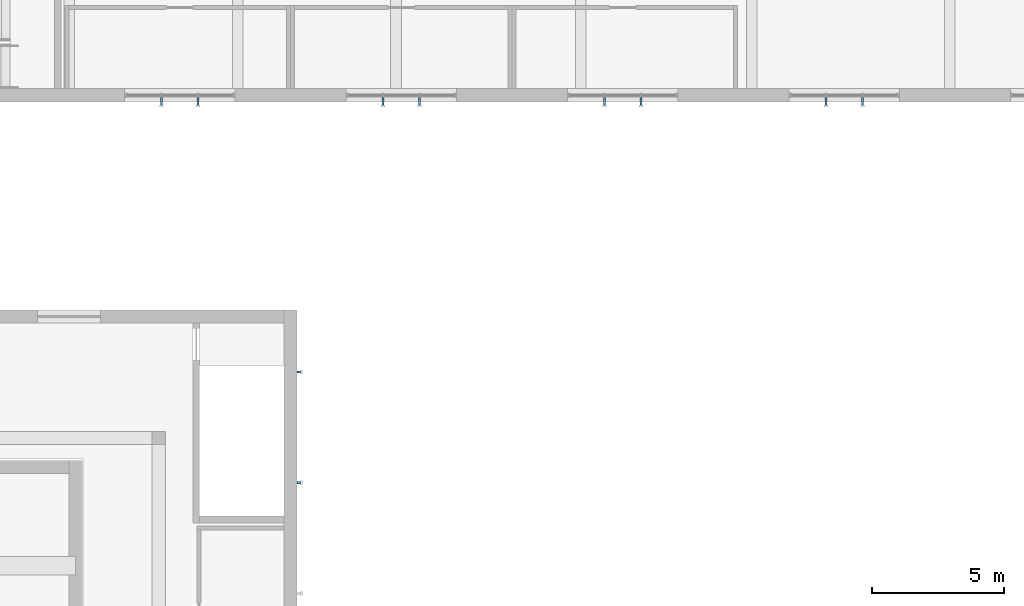
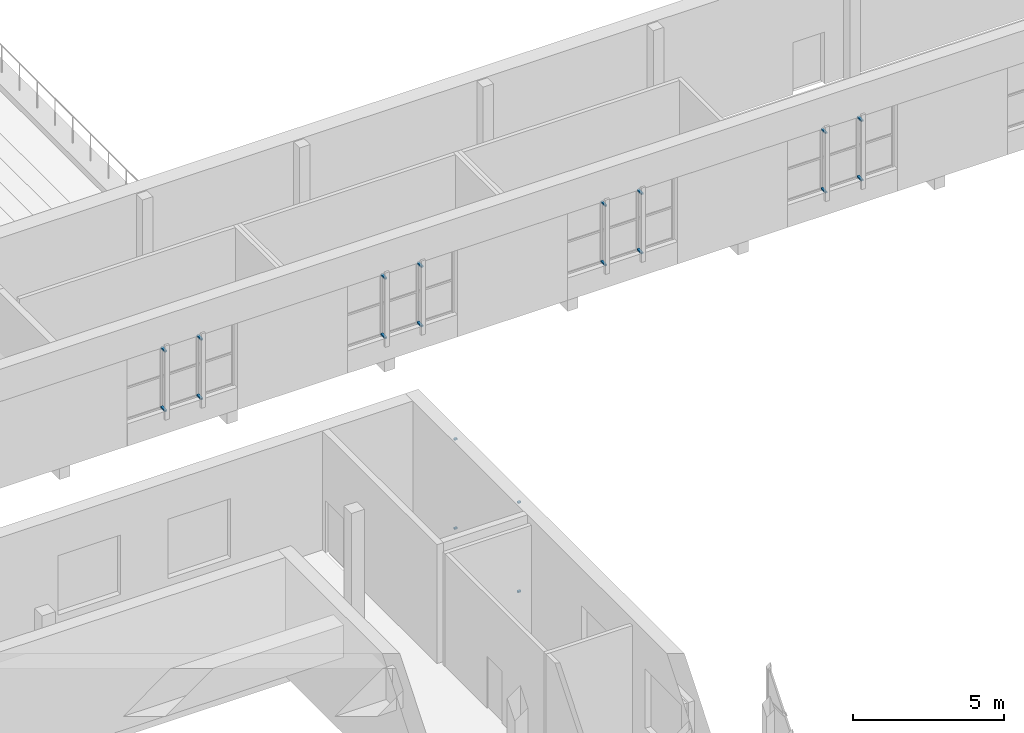
# One storey, part 86 of 116: 20 discrete accessories.
"""IFC4 building model written with IfcOpenShell, lengths in metres."""

from ifc_helpers import new_model, si_unit, direction, frame, origin, origin_2d, place, context, subcontext, project, spatial, rectangle, extrude, material, type_object, element, save


model = new_model("IFC4")

# Units and contexts
model_context = context("Model", 3, precision=1e-05, world=origin(), true_north=direction((0.0, 1.0)))
body_context = subcontext(model_context, "Body", "Model", "MODEL_VIEW")
ifc_project = project(units=[si_unit("LENGTHUNIT", "METRE"), si_unit("AREAUNIT", "SQUARE_METRE"), si_unit("VOLUMEUNIT", "CUBIC_METRE"), si_unit("PLANEANGLEUNIT", "RADIAN"), si_unit("MASSUNIT", "GRAM", prefix="KILO")], contexts=[model_context])

# Site, building, storey
site_placement = place(None, origin())
site = spatial("IfcSite", under=ifc_project, at=site_placement, CompositionType="ELEMENT")
building_placement = place(site_placement, origin())
building = spatial("IfcBuilding", under=site, at=building_placement, Name="Ljudholm Concert House", CompositionType="ELEMENT")
storey_placement = place(building_placement, frame((0.0, 0.0, 10.199951171875)))
storey = spatial("IfcBuildingStorey", under=building, at=storey_placement, Name="L02", CompositionType="ELEMENT", Elevation=10.199951171875)

# Discrete accessories
ifc_material_1 = material(Name="Stainless steel bracket", Category="steel")
discrete_accessory_type_1 = type_object("IfcDiscreteAccessoryType", Name="BRACKET 120", PredefinedType="BRACKET", material=ifc_material_1)
for number, where, z_axis, x_axis, name in (
    (1, (46.31005859375, 39.699951171875, 0.570068359375), (0.0, 0.0, 1.0), (1.0, 0.0, 0.0), "Fin bracket"),
    (2, (46.31005859375, 39.699951171875, 4.169921875), (0.0, 0.0, 1.0), (1.0, 0.0, 0.0), "Fin bracket"),
    (3, (46.31005859375, 43.89990234375, 0.570068359375), (0.0, 0.0, 1.0), (1.0, 0.0, 0.0), "Fin bracket"),
    (4, (46.31005859375, 43.89990234375, 4.169921875), (0.0, 0.0, 1.0), (1.0, 0.0, 0.0), "Fin bracket"),
):
    element("IfcDiscreteAccessory", number, at=place(storey_placement, frame(where, z_axis=z_axis, x_axis=x_axis)), inside=storey, type_object=discrete_accessory_type_1, Name=name, PredefinedType="BRACKET", context=body_context, shape_type="SweptSolid", body=[
        extrude(rectangle(XDim=0.1201171875, YDim=0.080078125, at=origin_2d()), origin(), (0.0, 0.0, 1.0), 0.06005859375),
    ])
ifc_material_2 = material(Name="Stainless steel bracket", Category="steel")
discrete_accessory_type_2 = type_object("IfcDiscreteAccessoryType", Name="BRACKET 290", PredefinedType="BRACKET", material=ifc_material_2)
for number, where, z_axis, x_axis, name in (
    (5, (41.110107421875, 54.175048828125, 0.969970703125), (0.0, 0.0, 1.0), (0.0, -1.0, 0.0), "Fin bracket"),
    (6, (41.110107421875, 54.175048828125, 3.3701171875), (0.0, 0.0, 1.0), (0.0, -1.0, 0.0), "Fin bracket"),
    (7, (42.489990234375, 54.175048828125, 0.969970703125), (0.0, 0.0, 1.0), (0.0, -1.0, 0.0), "Fin bracket"),
    (8, (42.489990234375, 54.175048828125, 3.3701171875), (0.0, 0.0, 1.0), (0.0, -1.0, 0.0), "Fin bracket"),
    (9, (49.510009765625, 54.175048828125, 0.969970703125), (0.0, 0.0, 1.0), (0.0, -1.0, 0.0), "Fin bracket"),
    (10, (49.510009765625, 54.175048828125, 3.3701171875), (0.0, 0.0, 1.0), (0.0, -1.0, 0.0), "Fin bracket"),
    (11, (50.889892578125, 54.175048828125, 0.969970703125), (0.0, 0.0, 1.0), (0.0, -1.0, 0.0), "Fin bracket"),
    (12, (50.889892578125, 54.175048828125, 3.3701171875), (0.0, 0.0, 1.0), (0.0, -1.0, 0.0), "Fin bracket"),
    (13, (57.909912109375, 54.175048828125, 0.969970703125), (0.0, 0.0, 1.0), (0.0, -1.0, 0.0), "Fin bracket"),
    (14, (57.909912109375, 54.175048828125, 3.3701171875), (0.0, 0.0, 1.0), (0.0, -1.0, 0.0), "Fin bracket"),
    (15, (59.2900390625, 54.175048828125, 0.969970703125), (0.0, 0.0, 1.0), (0.0, -1.0, 0.0), "Fin bracket"),
    (16, (59.2900390625, 54.175048828125, 3.3701171875), (0.0, 0.0, 1.0), (0.0, -1.0, 0.0), "Fin bracket"),
    (17, (66.31005859375, 54.175048828125, 0.969970703125), (0.0, 0.0, 1.0), (0.0, -1.0, 0.0), "Fin bracket"),
    (18, (66.31005859375, 54.175048828125, 3.3701171875), (0.0, 0.0, 1.0), (0.0, -1.0, 0.0), "Fin bracket"),
    (19, (67.68994140625, 54.175048828125, 0.969970703125), (0.0, 0.0, 1.0), (0.0, -1.0, 0.0), "Fin bracket"),
    (20, (67.68994140625, 54.175048828125, 3.3701171875), (0.0, 0.0, 1.0), (0.0, -1.0, 0.0), "Fin bracket"),
):
    element("IfcDiscreteAccessory", number, at=place(storey_placement, frame(where, z_axis=z_axis, x_axis=x_axis)), inside=storey, type_object=discrete_accessory_type_2, Name=name, PredefinedType="BRACKET", context=body_context, shape_type="SweptSolid", body=[
        extrude(rectangle(XDim=0.2900390625, YDim=0.080078125, at=origin_2d()), origin(), (0.0, 0.0, 1.0), 0.06005859375),
    ])

save(model, "model.ifc")
